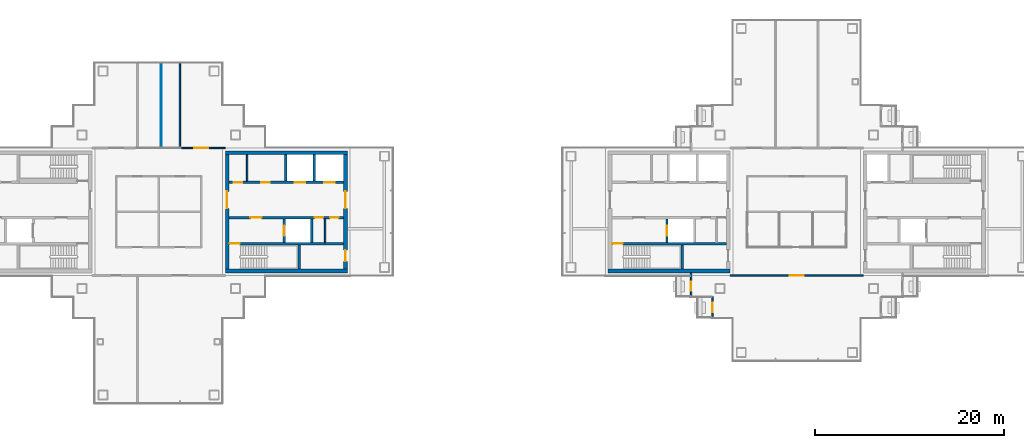
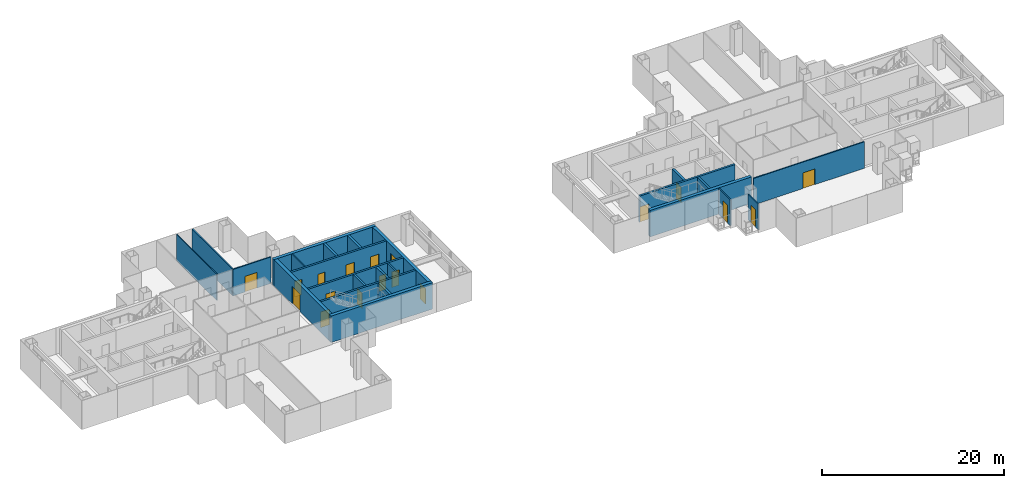
# One storey, part 10 of 16: 24 walls, 18 doors, 18 openings.
"""IFC4 building model written with IfcOpenShell, lengths in metres."""

from ifc_helpers import new_model, si_unit, direction, frame, frame_2d, origin, place, context, subcontext, project, spatial, rectangle, extrude, material, layer, layer_set, type_object, element, fill, save


model = new_model("IFC4")

# Units and contexts
model_context = context("Model", 3, precision=1e-05, world=origin(), true_north=direction((0.0, 1.0)))
body_context = subcontext(model_context, "Body", "Model", "MODEL_VIEW")
ifc_project = project(units=[si_unit("LENGTHUNIT", "METRE"), si_unit("AREAUNIT", "SQUARE_METRE"), si_unit("VOLUMEUNIT", "CUBIC_METRE"), si_unit("PLANEANGLEUNIT", "RADIAN"), si_unit("MASSUNIT", "GRAM", prefix="KILO")], contexts=[model_context])

# Site, building, storey
site_placement = place(None, origin())
site = spatial("IfcSite", under=ifc_project, at=site_placement, CompositionType="ELEMENT")
building_placement = place(site_placement, origin())
building = spatial("IfcBuilding", under=site, at=building_placement, Name="Shamsa Quay Exchange Towers", CompositionType="ELEMENT")
storey_placement = place(building_placement, frame((0.0, 0.0, 186.60009765625)))
storey = spatial("IfcBuildingStorey", under=building, at=storey_placement, Name="L44", CompositionType="ELEMENT", Elevation=186.60009765625)

# Wall, opening, door
ifc_material_1 = material(Name="Aluminium EN AW-6063 T6, black anodised, with black enamelled glass infill", Category="aluminium")
ifc_layer_1 = layer(ifc_material_1, 0.14990234375)
ifc_layer_set_1 = layer_set([ifc_layer_1], Name="BALCONY DOOR BAY WALL 150")
wall_type_1 = type_object("IfcWallType", Name="BALCONY DOOR BAY WALL 150", PredefinedType="SOLIDWALL", material=ifc_layer_set_1)
wall_1_placement = place(storey_placement, frame((22.574951171875, -9.0, 0.0), z_axis=(0.0, 0.0, 1.0), x_axis=(0.0, 1.0, 0.0)))
wall_1 = element("IfcWall", 1, at=wall_1_placement, inside=storey, type_object=wall_type_1, Name="Door bay T2-PKWN L44", PredefinedType="SOLIDWALL", context=body_context, shape_type="SweptSolid", body=[
    extrude(rectangle(XDim=2.556884765625, YDim=0.14990234375, at=frame_2d((1.2783203125, 0.0))), origin(), (0.0, 0.0, 1.0), 3.449951171875),
])
opening_1_placement = place(wall_1_placement, frame((0.625, 0.0, 0.0)))
opening_1 = element("IfcOpeningElement", 2, at=opening_1_placement, cuts=wall_1, Name="Opening XD285", PredefinedType="OPENING", context=body_context, shape_type="SweptSolid", body=[
    extrude(rectangle(XDim=1.0, YDim=2.39990234375, at=frame_2d((0.5, 1.199951171875))), frame((0.0, 0.0849609375, 0.0), z_axis=(0.0, -1.0, 0.0), x_axis=(1.0, 0.0, 0.0)), (0.0, 0.0, 1.0), 0.169921875),
])
ifc_material_2 = material(Name="Aluminium EN AW-6063 T6, black anodised, with laminated glass leaf", Category="aluminium")
door_type_1 = type_object("IfcDoorType", Name="BALCONY DOOR 1000x2400", OperationType="SINGLE_SWING_LEFT", PredefinedType="DOOR", material=ifc_material_2)
door_1_placement = place(opening_1_placement, origin())
door_1 = element("IfcDoor", 3, at=door_1_placement, inside=storey, type_object=door_type_1, Name="Balcony door T2-PKWN L44", OperationType="SINGLE_SWING_LEFT", OverallHeight=2.39990234375, OverallWidth=1.0, PredefinedType="DOOR", context=body_context, shape_type="SweptSolid", body=[
    extrude(rectangle(XDim=1.0, YDim=2.39990234375, at=frame_2d((0.5, 1.199951171875))), frame((0.0, 0.02490234375, 0.0), z_axis=(0.0, -1.0, 0.0), x_axis=(1.0, 0.0, 0.0)), (0.0, 0.0, 1.0), 0.050048828125),
])
fill(opening_1, door_1)

wall_2_placement = place(storey_placement, frame((24.824951171875, -11.25, 0.0), z_axis=(0.0, 0.0, 1.0), x_axis=(0.0, 1.0, 0.0)))
wall_2 = element("IfcWall", 4, at=wall_2_placement, inside=storey, type_object=wall_type_1, Name="Door bay T2-PKWN L44", PredefinedType="SOLIDWALL", context=body_context, shape_type="SweptSolid", body=[
    extrude(rectangle(XDim=2.25, YDim=0.14990234375, at=frame_2d((1.125, 0.0))), origin(), (0.0, 0.0, 1.0), 3.449951171875),
])
opening_2_placement = place(wall_2_placement, frame((0.625, 0.0, 0.0)))
opening_2 = element("IfcOpeningElement", 5, at=opening_2_placement, cuts=wall_2, Name="Opening XD286", PredefinedType="OPENING", context=body_context, shape_type="SweptSolid", body=[
    extrude(rectangle(XDim=1.0, YDim=2.39990234375, at=frame_2d((0.5, 1.199951171875))), frame((0.0, 0.0849609375, 0.0), z_axis=(0.0, -1.0, 0.0), x_axis=(1.0, 0.0, 0.0)), (0.0, 0.0, 1.0), 0.169921875),
])
door_2_placement = place(opening_2_placement, origin())
door_2 = element("IfcDoor", 6, at=door_2_placement, inside=storey, type_object=door_type_1, Name="Balcony door T2-PKWN L44", OperationType="SINGLE_SWING_RIGHT", OverallHeight=2.39990234375, OverallWidth=1.0, PredefinedType="DOOR", context=body_context, shape_type="SweptSolid", body=[
    extrude(rectangle(XDim=1.0, YDim=2.39990234375, at=frame_2d((0.5, 1.199951171875))), frame((0.0, 0.02490234375, 0.0), z_axis=(0.0, -1.0, 0.0), x_axis=(1.0, 0.0, 0.0)), (0.0, 0.0, 1.0), 0.050048828125),
])
fill(opening_2, door_2)

# Walls
ifc_material_3 = material(Name="Concrete C60/75", Category="concrete")
ifc_layer_2 = layer(ifc_material_3, 0.39990234375)
ifc_layer_set_2 = layer_set([ifc_layer_2], Name="CORE WALL 400 C60/75")
wall_type_2 = type_object("IfcWallType", Name="CORE WALL 400 C60/75", PredefinedType="SHEAR", material=ifc_layer_set_2)
for number, where, name in (
    (7, (-26.699951171875, -6.25, 0.0), "Core wall T1A-R20-PS"),
    (8, (-26.699951171875, 6.25, 0.0), "Core wall T1A-R20-PN"),
):
    element("IfcWall", number, at=place(storey_placement, frame(where)), inside=storey, type_object=wall_type_2, Name=name, PredefinedType="SHEAR", context=body_context, shape_type="SweptSolid", body=[
        extrude(rectangle(XDim=12.89990234375, YDim=0.39990234375, at=frame_2d((6.449951171875, 0.0))), origin(), (0.0, 0.0, 1.0), 3.5498046875),
    ])

# Wall, opening, door
wall_3_placement = place(storey_placement, frame((-26.5, 6.050048828125, 0.0), z_axis=(0.0, 0.0, 1.0), x_axis=(0.0, -1.0, 0.0)))
wall_3 = element("IfcWall", 9, at=wall_3_placement, inside=storey, type_object=wall_type_2, Name="Core wall T1A-R20-PF", PredefinedType="SHEAR", context=body_context, shape_type="SweptSolid", body=[
    extrude(rectangle(XDim=12.10009765625, YDim=0.39990234375, at=frame_2d((6.050048828125, 0.0))), origin(), (0.0, 0.0, 1.0), 3.5498046875),
])
opening_3_placement = place(wall_3_placement, frame((3.89990234375, 0.0, 0.0)))
opening_3 = element("IfcOpeningElement", 10, at=opening_3_placement, cuts=wall_3, Name="Opening T1A-R20-LBD01", PredefinedType="OPENING", context=body_context, shape_type="SweptSolid", body=[
    extrude(rectangle(XDim=1.800048828125, YDim=2.39990234375, at=frame_2d((0.89990234375, 1.199951171875))), frame((0.0, 0.2099609375, 0.0), z_axis=(0.0, -1.0, 0.0), x_axis=(1.0, 0.0, 0.0)), (0.0, 0.0, 1.0), 0.419921875),
])
ifc_material_4 = material(Name="Steel, fire rated", Category="steel")
door_type_2 = type_object("IfcDoorType", Name="LIFT LOBBY DOOR PAIR 1800", OperationType="DOUBLE_DOOR_SINGLE_SWING", PredefinedType="DOOR", material=ifc_material_4)
door_3_placement = place(opening_3_placement, origin())
door_3 = element("IfcDoor", 11, at=door_3_placement, inside=storey, type_object=door_type_2, Name="T1A-R20-LBD01", OperationType="DOUBLE_DOOR_SINGLE_SWING", OverallHeight=2.39990234375, OverallWidth=1.800048828125, PredefinedType="DOOR", context=body_context, shape_type="SweptSolid", body=[
    extrude(rectangle(XDim=1.800048828125, YDim=2.39990234375, at=frame_2d((0.89990234375, 1.199951171875))), frame((0.0, 0.02490234375, 0.0), z_axis=(0.0, -1.0, 0.0), x_axis=(1.0, 0.0, 0.0)), (0.0, 0.0, 1.0), 0.050048828125),
])
fill(opening_3, door_3)

# Wall, openings, doors
wall_4_placement = place(storey_placement, frame((-14.0, 6.050048828125, 0.0), z_axis=(0.0, 0.0, 1.0), x_axis=(0.0, -1.0, 0.0)))
wall_4 = element("IfcWall", 12, at=wall_4_placement, inside=storey, type_object=wall_type_2, Name="Core wall T1A-R20-PB", PredefinedType="SHEAR", context=body_context, shape_type="SweptSolid", body=[
    extrude(rectangle(XDim=12.10009765625, YDim=0.39990234375, at=frame_2d((6.050048828125, 0.0))), origin(), (0.0, 0.0, 1.0), 3.5498046875),
])
opening_4_placement = place(wall_4_placement, frame((10.10009765625, 0.0, 0.0)))
opening_4 = element("IfcOpeningElement", 13, at=opening_4_placement, cuts=wall_4, Name="Opening T1A-R20-RD02", PredefinedType="OPENING", context=body_context, shape_type="SweptSolid", body=[
    extrude(rectangle(XDim=1.199951171875, YDim=2.10009765625, at=frame_2d((0.60009765625, 1.050048828125))), frame((0.0, 0.2099609375, 0.0), z_axis=(0.0, -1.0, 0.0), x_axis=(1.0, 0.0, 0.0)), (0.0, 0.0, 1.0), 0.419921875),
])
opening_5_placement = place(wall_4_placement, frame((3.89990234375, 0.0, 0.0)))
opening_5 = element("IfcOpeningElement", 14, at=opening_5_placement, cuts=wall_4, Name="Opening T1A-R20-LBD03", PredefinedType="OPENING", context=body_context, shape_type="SweptSolid", body=[
    extrude(rectangle(XDim=1.800048828125, YDim=2.39990234375, at=frame_2d((0.89990234375, 1.199951171875))), frame((0.0, 0.2099609375, 0.0), z_axis=(0.0, -1.0, 0.0), x_axis=(1.0, 0.0, 0.0)), (0.0, 0.0, 1.0), 0.419921875),
])
door_4_placement = place(opening_5_placement, origin())
door_4 = element("IfcDoor", 15, at=door_4_placement, inside=storey, type_object=door_type_2, Name="T1A-R20-LBD03", OperationType="DOUBLE_DOOR_SINGLE_SWING", OverallHeight=2.39990234375, OverallWidth=1.800048828125, PredefinedType="DOOR", context=body_context, shape_type="SweptSolid", body=[
    extrude(rectangle(XDim=1.800048828125, YDim=2.39990234375, at=frame_2d((0.89990234375, 1.199951171875))), frame((0.0, 0.02490234375, 0.0), z_axis=(0.0, -1.0, 0.0), x_axis=(1.0, 0.0, 0.0)), (0.0, 0.0, 1.0), 0.050048828125),
])
fill(opening_5, door_4)
door_type_3 = type_object("IfcDoorType", Name="RISER ACCESS DOOR 1200", OperationType="SINGLE_SWING_LEFT", PredefinedType="DOOR", material=ifc_material_4)
door_5_placement = place(opening_4_placement, origin())
door_5 = element("IfcDoor", 16, at=door_5_placement, inside=storey, type_object=door_type_3, Name="T1A-R20-RD02", OperationType="SINGLE_SWING_RIGHT", OverallHeight=2.10009765625, OverallWidth=1.199951171875, PredefinedType="DOOR", context=body_context, shape_type="SweptSolid", body=[
    extrude(rectangle(XDim=1.199951171875, YDim=2.10009765625, at=frame_2d((0.60009765625, 1.050048828125))), frame((0.0, 0.02490234375, 0.0), z_axis=(0.0, -1.0, 0.0), x_axis=(1.0, 0.0, 0.0)), (0.0, 0.0, 1.0), 0.050048828125),
])
fill(opening_4, door_5)

# Walls
wall_5_placement = place(storey_placement, frame((13.800048828125, -6.25, 0.0)))
element("IfcWall", 17, at=wall_5_placement, inside=storey, type_object=wall_type_2, Name="Core wall T2A-R20-PS", PredefinedType="SHEAR", context=body_context, shape_type="SweptSolid", body=[
    extrude(rectangle(XDim=12.89990234375, YDim=0.39990234375, at=frame_2d((6.449951171875, 0.0))), origin(), (0.0, 0.0, 1.0), 3.5498046875),
])
ifc_material_5 = material(Name="Gypsum board on steel studs, EI 60", Category="steel")
ifc_layer_3 = layer(ifc_material_5, 0.14990234375)
ifc_layer_set_3 = layer_set([ifc_layer_3], Name="FIRE PARTITION 150")
wall_type_3 = type_object("IfcWallType", Name="FIRE PARTITION 150", PredefinedType="PARTITIONING", material=ifc_layer_set_3)
wall_6_placement = place(storey_placement, frame((-16.14990234375, -3.25, 0.0), z_axis=(0.0, 0.0, 1.0), x_axis=(0.0, 1.0, 0.0)))
element("IfcWall", 18, at=wall_6_placement, inside=storey, type_object=wall_type_3, Name="Partition T1A-R20-EC0", PredefinedType="PARTITIONING", context=body_context, shape_type="SweptSolid", body=[
    extrude(rectangle(XDim=2.5, YDim=0.14990234375, at=frame_2d((1.25, 0.0))), origin(), (0.0, 0.0, 1.0), 3.5498046875),
])
wall_7_placement = place(storey_placement, frame((-24.39990234375, 3.25, 0.0), z_axis=(0.0, 0.0, 1.0), x_axis=(0.0, 1.0, 0.0)))
element("IfcWall", 19, at=wall_7_placement, inside=storey, type_object=wall_type_3, Name="Partition T1A-R20-FC0", PredefinedType="PARTITIONING", context=body_context, shape_type="SweptSolid", body=[
    extrude(rectangle(XDim=2.800048828125, YDim=0.14990234375, at=frame_2d((1.39990234375, 0.0))), origin(), (0.0, 0.0, 1.0), 3.5498046875),
])
ifc_material_6 = material(Name="Gypsum board partition on metal studs")
ifc_layer_4 = layer(ifc_material_6, 0.10009765625)
ifc_layer_set_4 = layer_set([ifc_layer_4], Name="Partition 100 mm NOT RATED")
wall_type_4 = type_object("IfcWallType", Name="Partition 100 mm NOT RATED", PredefinedType="PARTITIONING", material=ifc_layer_set_4)
wall_8_placement = place(storey_placement, frame((-33.5, 6.800048828125, 0.0), z_axis=(0.0, 0.0, 1.0), x_axis=(0.0, 1.0, 0.0)))
element("IfcWall", 20, at=wall_8_placement, inside=storey, type_object=wall_type_4, Name="Partition T1-R20-W13", PredefinedType="PARTITIONING", context=body_context, shape_type="SweptSolid", body=[
    extrude(rectangle(XDim=8.85498046875, YDim=0.10009765625, at=frame_2d((4.427490234375, 0.0))), origin(), (0.0, 0.0, 1.0), 3.5498046875),
])

# Wall, opening, door
ifc_layer_5 = layer(ifc_material_6, 0.14990234375)
ifc_layer_set_5 = layer_set([ifc_layer_5], Name="Partition 150 mm EI 60")
wall_type_5 = type_object("IfcWallType", Name="Partition 150 mm EI 60", PredefinedType="PARTITIONING", material=ifc_layer_set_5)
wall_9_placement = place(storey_placement, frame((-31.574951171875, 6.75, 0.0)))
wall_9 = element("IfcWall", 21, at=wall_9_placement, inside=storey, type_object=wall_type_5, Name="Partition T1-R20-W06", PredefinedType="PARTITIONING", context=body_context, shape_type="SweptSolid", body=[
    extrude(rectangle(XDim=4.875, YDim=0.14990234375, at=frame_2d((2.4375, 0.0))), origin(), (0.0, 0.0, 1.0), 3.5498046875),
])
opening_6_placement = place(wall_9_placement, frame((1.574951171875, 0.0, 0.0)))
opening_6 = element("IfcOpeningElement", 22, at=opening_6_placement, cuts=wall_9, Name="Opening T1-R20-D06", PredefinedType="OPENING", context=body_context, shape_type="SweptSolid", body=[
    extrude(rectangle(XDim=1.5, YDim=2.10009765625, at=frame_2d((0.75, 1.050048828125))), frame((0.0, 0.0849609375, 0.0), z_axis=(0.0, -1.0, 0.0), x_axis=(1.0, 0.0, 0.0)), (0.0, 0.0, 1.0), 0.169921875),
])
ifc_material_7 = material(Name="Timber door leaf in a metal frame", Category="wood")
door_type_4 = type_object("IfcDoorType", Name="Door 1500x2100 FD30S pair", OperationType="NOTDEFINED", PredefinedType="DOOR", material=ifc_material_7)
door_6_placement = place(opening_6_placement, origin())
door_6 = element("IfcDoor", 23, at=door_6_placement, inside=storey, type_object=door_type_4, Name="Door T1-R20-D06", OperationType="DOUBLE_DOOR_SINGLE_SWING", OverallHeight=2.10009765625, OverallWidth=1.5, PredefinedType="DOOR", context=body_context, shape_type="SweptSolid", body=[
    extrude(rectangle(XDim=1.5, YDim=2.10009765625, at=frame_2d((0.75, 1.050048828125))), frame((0.0, 0.02490234375, 0.0), z_axis=(0.0, -1.0, 0.0), x_axis=(1.0, 0.0, 0.0)), (0.0, 0.0, 1.0), 0.050048828125),
])
fill(opening_6, door_6)

# Wall
wall_10_placement = place(storey_placement, frame((-31.5, 6.824951171875, 0.0), z_axis=(0.0, 0.0, 1.0), x_axis=(0.0, 1.0, 0.0)))
element("IfcWall", 24, at=wall_10_placement, inside=storey, type_object=wall_type_5, Name="Partition T1-R20-W14", PredefinedType="PARTITIONING", context=body_context, shape_type="SweptSolid", body=[
    extrude(rectangle(XDim=8.830078125, YDim=0.14990234375, at=frame_2d((4.4150390625, 0.0))), origin(), (0.0, 0.0, 1.0), 3.5498046875),
])

# Wall, opening, door
wall_11_placement = place(storey_placement, frame((40.800048828125, -6.75, 0.0), z_axis=(0.0, 0.0, 1.0), x_axis=(-1.0, 0.0, 0.0)))
wall_11 = element("IfcWall", 25, at=wall_11_placement, inside=storey, type_object=wall_type_5, Name="Partition T2-R20-W08", PredefinedType="PARTITIONING", context=body_context, shape_type="SweptSolid", body=[
    extrude(rectangle(XDim=14.10009765625, YDim=0.14990234375, at=frame_2d((7.050048828125, 0.0))), origin(), (0.0, 0.0, 1.0), 3.5498046875),
])
opening_7_placement = place(wall_11_placement, frame((6.300048828125, 0.0, 0.0)))
opening_7 = element("IfcOpeningElement", 26, at=opening_7_placement, cuts=wall_11, Name="Opening T2-R20-D08", PredefinedType="OPENING", context=body_context, shape_type="SweptSolid", body=[
    extrude(rectangle(XDim=1.5, YDim=2.10009765625, at=frame_2d((0.75, 1.050048828125))), frame((0.0, 0.0849609375, 0.0), z_axis=(0.0, -1.0, 0.0), x_axis=(1.0, 0.0, 0.0)), (0.0, 0.0, 1.0), 0.169921875),
])
door_7_placement = place(opening_7_placement, origin())
door_7 = element("IfcDoor", 27, at=door_7_placement, inside=storey, type_object=door_type_4, Name="Door T2-R20-D08", OperationType="DOUBLE_DOOR_SINGLE_SWING", OverallHeight=2.10009765625, OverallWidth=1.5, PredefinedType="DOOR", context=body_context, shape_type="SweptSolid", body=[
    extrude(rectangle(XDim=1.5, YDim=2.10009765625, at=frame_2d((0.75, 1.050048828125))), frame((0.0, 0.02490234375, 0.0), z_axis=(0.0, -1.0, 0.0), x_axis=(1.0, 0.0, 0.0)), (0.0, 0.0, 1.0), 0.050048828125),
])
fill(opening_7, door_7)

ifc_material_8 = material(Name="Concrete C50/60", Category="concrete")
ifc_layer_6 = layer(ifc_material_8, 0.25)
ifc_layer_set_6 = layer_set([ifc_layer_6], Name="SHAFT WALL 250 C50/60")
wall_type_6 = type_object("IfcWallType", Name="SHAFT WALL 250 C50/60", PredefinedType="SHEAR", material=ifc_layer_set_6)
wall_12_placement = place(storey_placement, frame((-14.199951171875, -3.375, 0.0), z_axis=(0.0, 0.0, 1.0), x_axis=(-1.0, 0.0, 0.0)))
wall_12 = element("IfcWall", 28, at=wall_12_placement, inside=storey, type_object=wall_type_6, Name="Shaft wall T1A-R20-STL", PredefinedType="SHEAR", context=body_context, shape_type="SweptSolid", body=[
    extrude(rectangle(XDim=12.10009765625, YDim=0.25, at=frame_2d((6.050048828125, 0.0))), origin(), (0.0, 0.0, 1.0), 3.5498046875),
])
opening_8_placement = place(wall_12_placement, frame((10.949951171875, 0.0, 0.0)))
opening_8 = element("IfcOpeningElement", 29, at=opening_8_placement, cuts=wall_12, Name="Opening T1A-R20-SD04", PredefinedType="OPENING", context=body_context, shape_type="SweptSolid", body=[
    extrude(rectangle(XDim=1.10009765625, YDim=2.10009765625, at=frame_2d((0.550048828125, 1.050048828125))), frame((0.0, 0.135009765625, 0.0), z_axis=(0.0, -1.0, 0.0), x_axis=(1.0, 0.0, 0.0)), (0.0, 0.0, 1.0), 0.27001953125),
])
door_type_5 = type_object("IfcDoorType", Name="STAIR DOOR 1100", OperationType="SINGLE_SWING_LEFT", PredefinedType="DOOR", material=ifc_material_4)
door_8_placement = place(opening_8_placement, origin())
door_8 = element("IfcDoor", 30, at=door_8_placement, inside=storey, type_object=door_type_5, Name="T1A-R20-SD04", OperationType="SINGLE_SWING_RIGHT", OverallHeight=2.10009765625, OverallWidth=1.10009765625, PredefinedType="DOOR", context=body_context, shape_type="SweptSolid", body=[
    extrude(rectangle(XDim=1.10009765625, YDim=2.10009765625, at=frame_2d((0.550048828125, 1.050048828125))), frame((0.0, 0.02490234375, 0.0), z_axis=(0.0, -1.0, 0.0), x_axis=(1.0, 0.0, 0.0)), (0.0, 0.0, 1.0), 0.050048828125),
])
fill(opening_8, door_8)

# Wall
wall_13_placement = place(storey_placement, frame((-18.875, -6.050048828125, 0.0), z_axis=(0.0, 0.0, 1.0), x_axis=(0.0, 1.0, 0.0)))
element("IfcWall", 31, at=wall_13_placement, inside=storey, type_object=wall_type_6, Name="Shaft wall T1A-R20-STF", PredefinedType="SHEAR", context=body_context, shape_type="SweptSolid", body=[
    extrude(rectangle(XDim=2.550048828125, YDim=0.25, at=frame_2d((1.27490234375, 0.0))), origin(), (0.0, 0.0, 1.0), 3.5498046875),
])

# Wall, openings, doors
wall_14_placement = place(storey_placement, frame((-14.199951171875, -0.625, 0.0), z_axis=(0.0, 0.0, 1.0), x_axis=(-1.0, 0.0, 0.0)))
wall_14 = element("IfcWall", 32, at=wall_14_placement, inside=storey, type_object=wall_type_6, Name="Shaft wall T1A-R20-B", PredefinedType="SHEAR", context=body_context, shape_type="SweptSolid", body=[
    extrude(rectangle(XDim=12.10009765625, YDim=0.25, at=frame_2d((6.050048828125, 0.0))), origin(), (0.0, 0.0, 1.0), 3.5498046875),
])
opening_9_placement = place(wall_14_placement, frame((8.64990234375, 0.0, 0.0)))
opening_9 = element("IfcOpeningElement", 33, at=opening_9_placement, cuts=wall_14, Name="Opening T1A-R20-FD05", PredefinedType="OPENING", context=body_context, shape_type="SweptSolid", body=[
    extrude(rectangle(XDim=1.199951171875, YDim=2.10009765625, at=frame_2d((0.60009765625, 1.050048828125))), frame((0.0, 0.135009765625, 0.0), z_axis=(0.0, -1.0, 0.0), x_axis=(1.0, 0.0, 0.0)), (0.0, 0.0, 1.0), 0.27001953125),
])
opening_10_placement = place(wall_14_placement, frame((2.14990234375, 0.0, 0.0)))
opening_10 = element("IfcOpeningElement", 34, at=opening_10_placement, cuts=wall_14, Name="Opening T1A-R20-SV06", PredefinedType="OPENING", context=body_context, shape_type="SweptSolid", body=[
    extrude(rectangle(XDim=0.89990234375, YDim=2.10009765625, at=frame_2d((0.449951171875, 1.050048828125))), frame((0.0, 0.135009765625, 0.0), z_axis=(0.0, -1.0, 0.0), x_axis=(1.0, 0.0, 0.0)), (0.0, 0.0, 1.0), 0.27001953125),
])
opening_11_placement = place(wall_14_placement, frame((0.52490234375, 0.0, 0.0)))
opening_11 = element("IfcOpeningElement", 35, at=opening_11_placement, cuts=wall_14, Name="Opening T1A-R20-SV07", PredefinedType="OPENING", context=body_context, shape_type="SweptSolid", body=[
    extrude(rectangle(XDim=0.89990234375, YDim=2.10009765625, at=frame_2d((0.449951171875, 1.050048828125))), frame((0.0, 0.135009765625, 0.0), z_axis=(0.0, -1.0, 0.0), x_axis=(1.0, 0.0, 0.0)), (0.0, 0.0, 1.0), 0.27001953125),
])
door_type_6 = type_object("IfcDoorType", Name="FIRE SERVICE LOBBY DOOR 1200", OperationType="SINGLE_SWING_LEFT", PredefinedType="DOOR", material=ifc_material_4)
door_9_placement = place(opening_9_placement, origin())
door_9 = element("IfcDoor", 36, at=door_9_placement, inside=storey, type_object=door_type_6, Name="T1A-R20-FD05", OperationType="SINGLE_SWING_RIGHT", OverallHeight=2.10009765625, OverallWidth=1.199951171875, PredefinedType="DOOR", context=body_context, shape_type="SweptSolid", body=[
    extrude(rectangle(XDim=1.199951171875, YDim=2.10009765625, at=frame_2d((0.60009765625, 1.050048828125))), frame((0.0, 0.02490234375, 0.0), z_axis=(0.0, -1.0, 0.0), x_axis=(1.0, 0.0, 0.0)), (0.0, 0.0, 1.0), 0.050048828125),
])
fill(opening_9, door_9)
door_type_7 = type_object("IfcDoorType", Name="SERVICE ROOM DOOR 900", OperationType="SINGLE_SWING_LEFT", PredefinedType="DOOR", material=ifc_material_4)
door_10_placement = place(opening_10_placement, origin())
door_10 = element("IfcDoor", 37, at=door_10_placement, inside=storey, type_object=door_type_7, Name="T1A-R20-SV06", OperationType="SINGLE_SWING_LEFT", OverallHeight=2.10009765625, OverallWidth=0.89990234375, PredefinedType="DOOR", context=body_context, shape_type="SweptSolid", body=[
    extrude(rectangle(XDim=0.89990234375, YDim=2.10009765625, at=frame_2d((0.449951171875, 1.050048828125))), frame((0.0, 0.02490234375, 0.0), z_axis=(0.0, -1.0, 0.0), x_axis=(1.0, 0.0, 0.0)), (0.0, 0.0, 1.0), 0.050048828125),
])
fill(opening_10, door_10)
door_11_placement = place(opening_11_placement, origin())
door_11 = element("IfcDoor", 38, at=door_11_placement, inside=storey, type_object=door_type_7, Name="T1A-R20-SV07", OperationType="SINGLE_SWING_LEFT", OverallHeight=2.10009765625, OverallWidth=0.89990234375, PredefinedType="DOOR", context=body_context, shape_type="SweptSolid", body=[
    extrude(rectangle(XDim=0.89990234375, YDim=2.10009765625, at=frame_2d((0.449951171875, 1.050048828125))), frame((0.0, 0.02490234375, 0.0), z_axis=(0.0, -1.0, 0.0), x_axis=(1.0, 0.0, 0.0)), (0.0, 0.0, 1.0), 0.050048828125),
])
fill(opening_11, door_11)

# Wall, opening, door
wall_15_placement = place(storey_placement, frame((-20.47509765625, -3.25, 0.0), z_axis=(0.0, 0.0, 1.0), x_axis=(0.0, 1.0, 0.0)))
wall_15 = element("IfcWall", 39, at=wall_15_placement, inside=storey, type_object=wall_type_6, Name="Shaft wall T1A-R20-FFF", PredefinedType="SHEAR", context=body_context, shape_type="SweptSolid", body=[
    extrude(rectangle(XDim=2.5, YDim=0.25, at=frame_2d((1.25, 0.0))), origin(), (0.0, 0.0, 1.0), 3.5498046875),
])
opening_12_placement = place(wall_15_placement, frame((0.699951171875, 0.0, 0.0)))
opening_12 = element("IfcOpeningElement", 40, at=opening_12_placement, cuts=wall_15, Name="Opening T1A-R20-LDF08", PredefinedType="OPENING", context=body_context, shape_type="SweptSolid", body=[
    extrude(rectangle(XDim=1.10009765625, YDim=2.10009765625, at=frame_2d((0.550048828125, 1.050048828125))), frame((0.0, 0.135009765625, 0.0), z_axis=(0.0, -1.0, 0.0), x_axis=(1.0, 0.0, 0.0)), (0.0, 0.0, 1.0), 0.27001953125),
])
door_type_8 = type_object("IfcDoorType", Name="FIRE SERVICE LANDING DOOR 1100", OperationType="SLIDING_TO_LEFT", PredefinedType="DOOR", material=ifc_material_4)
door_12_placement = place(opening_12_placement, origin())
door_12 = element("IfcDoor", 41, at=door_12_placement, inside=storey, type_object=door_type_8, Name="T1A-R20-LDF08", OperationType="SLIDING_TO_LEFT", OverallHeight=2.10009765625, OverallWidth=1.10009765625, PredefinedType="DOOR", context=body_context, shape_type="SweptSolid", body=[
    extrude(rectangle(XDim=1.10009765625, YDim=2.10009765625, at=frame_2d((0.550048828125, 1.050048828125))), frame((0.0, 0.02490234375, 0.0), z_axis=(0.0, -1.0, 0.0), x_axis=(1.0, 0.0, 0.0)), (0.0, 0.0, 1.0), 0.050048828125),
])
fill(opening_12, door_12)

# Wall
wall_16_placement = place(storey_placement, frame((-17.574951171875, -3.25, 0.0), z_axis=(0.0, 0.0, 1.0), x_axis=(0.0, 1.0, 0.0)))
element("IfcWall", 42, at=wall_16_placement, inside=storey, type_object=wall_type_6, Name="Shaft wall T1A-R20-FFB", PredefinedType="SHEAR", context=body_context, shape_type="SweptSolid", body=[
    extrude(rectangle(XDim=2.5, YDim=0.25, at=frame_2d((1.25, 0.0))), origin(), (0.0, 0.0, 1.0), 3.5498046875),
])

# Wall, openings, doors
wall_17_placement = place(storey_placement, frame((-26.300048828125, 3.125, 0.0)))
wall_17 = element("IfcWall", 43, at=wall_17_placement, inside=storey, type_object=wall_type_6, Name="Shaft wall T1A-R20-N", PredefinedType="SHEAR", context=body_context, shape_type="SweptSolid", body=[
    extrude(rectangle(XDim=12.10009765625, YDim=0.25, at=frame_2d((6.050048828125, 0.0))), origin(), (0.0, 0.0, 1.0), 3.5498046875),
])
opening_13_placement = place(wall_17_placement, frame((6.949951171875, 0.0, 0.0)))
opening_13 = element("IfcOpeningElement", 44, at=opening_13_placement, cuts=wall_17, Name="Opening T1A-R20-LD09", PredefinedType="OPENING", context=body_context, shape_type="SweptSolid", body=[
    extrude(rectangle(XDim=1.10009765625, YDim=2.10009765625, at=frame_2d((0.550048828125, 1.050048828125))), frame((0.0, 0.135009765625, 0.0), z_axis=(0.0, -1.0, 0.0), x_axis=(1.0, 0.0, 0.0)), (0.0, 0.0, 1.0), 0.27001953125),
])
opening_14_placement = place(wall_17_placement, frame((10.074951171875, 0.0, 0.0)))
opening_14 = element("IfcOpeningElement", 45, at=opening_14_placement, cuts=wall_17, Name="Opening T1A-R20-LD10", PredefinedType="OPENING", context=body_context, shape_type="SweptSolid", body=[
    extrude(rectangle(XDim=1.10009765625, YDim=2.10009765625, at=frame_2d((0.550048828125, 1.050048828125))), frame((0.0, 0.135009765625, 0.0), z_axis=(0.0, -1.0, 0.0), x_axis=(1.0, 0.0, 0.0)), (0.0, 0.0, 1.0), 0.27001953125),
])
opening_15_placement = place(wall_17_placement, frame((0.5, 0.0, 0.0)))
opening_15 = element("IfcOpeningElement", 46, at=opening_15_placement, cuts=wall_17, Name="Opening T1A-R20-SV11", PredefinedType="OPENING", context=body_context, shape_type="SweptSolid", body=[
    extrude(rectangle(XDim=0.89990234375, YDim=2.10009765625, at=frame_2d((0.449951171875, 1.050048828125))), frame((0.0, 0.135009765625, 0.0), z_axis=(0.0, -1.0, 0.0), x_axis=(1.0, 0.0, 0.0)), (0.0, 0.0, 1.0), 0.27001953125),
])
opening_16_placement = place(wall_17_placement, frame((3.425048828125, 0.0, 0.0)))
opening_16 = element("IfcOpeningElement", 47, at=opening_16_placement, cuts=wall_17, Name="Opening T1A-R20-SV12", PredefinedType="OPENING", context=body_context, shape_type="SweptSolid", body=[
    extrude(rectangle(XDim=0.89990234375, YDim=2.10009765625, at=frame_2d((0.449951171875, 1.050048828125))), frame((0.0, 0.135009765625, 0.0), z_axis=(0.0, -1.0, 0.0), x_axis=(1.0, 0.0, 0.0)), (0.0, 0.0, 1.0), 0.27001953125),
])
door_type_9 = type_object("IfcDoorType", Name="LANDING DOOR 1100", OperationType="SLIDING_TO_LEFT", PredefinedType="DOOR", material=ifc_material_4)
door_13_placement = place(opening_13_placement, origin())
door_13 = element("IfcDoor", 48, at=door_13_placement, inside=storey, type_object=door_type_9, Name="T1A-R20-LD09", OperationType="SLIDING_TO_LEFT", OverallHeight=2.10009765625, OverallWidth=1.10009765625, PredefinedType="DOOR", context=body_context, shape_type="SweptSolid", body=[
    extrude(rectangle(XDim=1.10009765625, YDim=2.10009765625, at=frame_2d((0.550048828125, 1.050048828125))), frame((0.0, 0.02490234375, 0.0), z_axis=(0.0, -1.0, 0.0), x_axis=(1.0, 0.0, 0.0)), (0.0, 0.0, 1.0), 0.050048828125),
])
fill(opening_13, door_13)
door_14_placement = place(opening_14_placement, origin())
door_14 = element("IfcDoor", 49, at=door_14_placement, inside=storey, type_object=door_type_9, Name="T1A-R20-LD10", OperationType="SLIDING_TO_LEFT", OverallHeight=2.10009765625, OverallWidth=1.10009765625, PredefinedType="DOOR", context=body_context, shape_type="SweptSolid", body=[
    extrude(rectangle(XDim=1.10009765625, YDim=2.10009765625, at=frame_2d((0.550048828125, 1.050048828125))), frame((0.0, 0.02490234375, 0.0), z_axis=(0.0, -1.0, 0.0), x_axis=(1.0, 0.0, 0.0)), (0.0, 0.0, 1.0), 0.050048828125),
])
fill(opening_14, door_14)
door_15_placement = place(opening_15_placement, origin())
door_15 = element("IfcDoor", 50, at=door_15_placement, inside=storey, type_object=door_type_7, Name="T1A-R20-SV11", OperationType="SINGLE_SWING_LEFT", OverallHeight=2.10009765625, OverallWidth=0.89990234375, PredefinedType="DOOR", context=body_context, shape_type="SweptSolid", body=[
    extrude(rectangle(XDim=0.89990234375, YDim=2.10009765625, at=frame_2d((0.449951171875, 1.050048828125))), frame((0.0, 0.02490234375, 0.0), z_axis=(0.0, -1.0, 0.0), x_axis=(1.0, 0.0, 0.0)), (0.0, 0.0, 1.0), 0.050048828125),
])
fill(opening_15, door_15)
door_16_placement = place(opening_16_placement, origin())
door_16 = element("IfcDoor", 51, at=door_16_placement, inside=storey, type_object=door_type_7, Name="T1A-R20-SV12", OperationType="SINGLE_SWING_LEFT", OverallHeight=2.10009765625, OverallWidth=0.89990234375, PredefinedType="DOOR", context=body_context, shape_type="SweptSolid", body=[
    extrude(rectangle(XDim=0.89990234375, YDim=2.10009765625, at=frame_2d((0.449951171875, 1.050048828125))), frame((0.0, 0.02490234375, 0.0), z_axis=(0.0, -1.0, 0.0), x_axis=(1.0, 0.0, 0.0)), (0.0, 0.0, 1.0), 0.050048828125),
])
fill(opening_16, door_16)

# Walls
for number, where, z_axis, x_axis, name in (
    (52, (-20.324951171875, 3.25, 0.0), (0.0, 0.0, 1.0), (0.0, 1.0, 0.0), "Shaft wall T1A-R20-D1"),
    (53, (-17.27490234375, 3.25, 0.0), (0.0, 0.0, 1.0), (0.0, 1.0, 0.0), "Shaft wall T1A-R20-D2"),
):
    element("IfcWall", number, at=place(storey_placement, frame(where, z_axis=z_axis, x_axis=x_axis)), inside=storey, type_object=wall_type_6, Name=name, PredefinedType="SHEAR", context=body_context, shape_type="SweptSolid", body=[
        extrude(rectangle(XDim=2.800048828125, YDim=0.25, at=frame_2d((1.39990234375, 0.0))), origin(), (0.0, 0.0, 1.0), 3.5498046875),
    ])

# Wall, opening, door
wall_18_placement = place(storey_placement, frame((26.300048828125, -3.375, 0.0), z_axis=(0.0, 0.0, 1.0), x_axis=(-1.0, 0.0, 0.0)))
wall_18 = element("IfcWall", 54, at=wall_18_placement, inside=storey, type_object=wall_type_6, Name="Shaft wall T2A-R20-STL", PredefinedType="SHEAR", context=body_context, shape_type="SweptSolid", body=[
    extrude(rectangle(XDim=12.10009765625, YDim=0.25, at=frame_2d((6.050048828125, 0.0))), origin(), (0.0, 0.0, 1.0), 3.5498046875),
])
opening_17_placement = place(wall_18_placement, frame((10.949951171875, 0.0, 0.0)))
opening_17 = element("IfcOpeningElement", 55, at=opening_17_placement, cuts=wall_18, Name="Opening T2A-R20-SD04", PredefinedType="OPENING", context=body_context, shape_type="SweptSolid", body=[
    extrude(rectangle(XDim=1.10009765625, YDim=2.10009765625, at=frame_2d((0.550048828125, 1.050048828125))), frame((0.0, 0.135009765625, 0.0), z_axis=(0.0, -1.0, 0.0), x_axis=(1.0, 0.0, 0.0)), (0.0, 0.0, 1.0), 0.27001953125),
])
door_17_placement = place(opening_17_placement, origin())
door_17 = element("IfcDoor", 56, at=door_17_placement, inside=storey, type_object=door_type_5, Name="T2A-R20-SD04", OperationType="SINGLE_SWING_RIGHT", OverallHeight=2.10009765625, OverallWidth=1.10009765625, PredefinedType="DOOR", context=body_context, shape_type="SweptSolid", body=[
    extrude(rectangle(XDim=1.10009765625, YDim=2.10009765625, at=frame_2d((0.550048828125, 1.050048828125))), frame((0.0, 0.02490234375, 0.0), z_axis=(0.0, -1.0, 0.0), x_axis=(1.0, 0.0, 0.0)), (0.0, 0.0, 1.0), 0.050048828125),
])
fill(opening_17, door_17)

# Wall
wall_19_placement = place(storey_placement, frame((21.625, -6.050048828125, 0.0), z_axis=(0.0, 0.0, 1.0), x_axis=(0.0, 1.0, 0.0)))
element("IfcWall", 57, at=wall_19_placement, inside=storey, type_object=wall_type_6, Name="Shaft wall T2A-R20-STF", PredefinedType="SHEAR", context=body_context, shape_type="SweptSolid", body=[
    extrude(rectangle(XDim=2.550048828125, YDim=0.25, at=frame_2d((1.27490234375, 0.0))), origin(), (0.0, 0.0, 1.0), 3.5498046875),
])

# Wall, opening, door
wall_20_placement = place(storey_placement, frame((20.02490234375, -3.25, 0.0), z_axis=(0.0, 0.0, 1.0), x_axis=(0.0, 1.0, 0.0)))
wall_20 = element("IfcWall", 58, at=wall_20_placement, inside=storey, type_object=wall_type_6, Name="Shaft wall T2A-R20-FFF", PredefinedType="SHEAR", context=body_context, shape_type="SweptSolid", body=[
    extrude(rectangle(XDim=2.5, YDim=0.25, at=frame_2d((1.25, 0.0))), origin(), (0.0, 0.0, 1.0), 3.5498046875),
])
opening_18_placement = place(wall_20_placement, frame((0.699951171875, 0.0, 0.0)))
opening_18 = element("IfcOpeningElement", 59, at=opening_18_placement, cuts=wall_20, Name="Opening T2A-R20-LDF08", PredefinedType="OPENING", context=body_context, shape_type="SweptSolid", body=[
    extrude(rectangle(XDim=1.10009765625, YDim=2.10009765625, at=frame_2d((0.550048828125, 1.050048828125))), frame((0.0, 0.135009765625, 0.0), z_axis=(0.0, -1.0, 0.0), x_axis=(1.0, 0.0, 0.0)), (0.0, 0.0, 1.0), 0.27001953125),
])
door_18_placement = place(opening_18_placement, origin())
door_18 = element("IfcDoor", 60, at=door_18_placement, inside=storey, type_object=door_type_8, Name="T2A-R20-LDF08", OperationType="SLIDING_TO_LEFT", OverallHeight=2.10009765625, OverallWidth=1.10009765625, PredefinedType="DOOR", context=body_context, shape_type="SweptSolid", body=[
    extrude(rectangle(XDim=1.10009765625, YDim=2.10009765625, at=frame_2d((0.550048828125, 1.050048828125))), frame((0.0, 0.02490234375, 0.0), z_axis=(0.0, -1.0, 0.0), x_axis=(1.0, 0.0, 0.0)), (0.0, 0.0, 1.0), 0.050048828125),
])
fill(opening_18, door_18)

save(model, "model.ifc")
